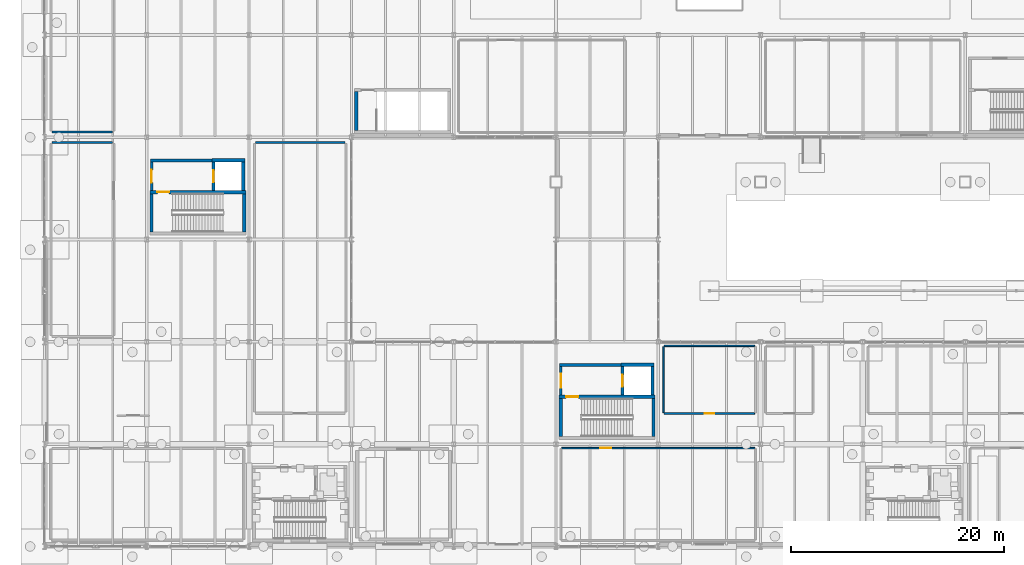
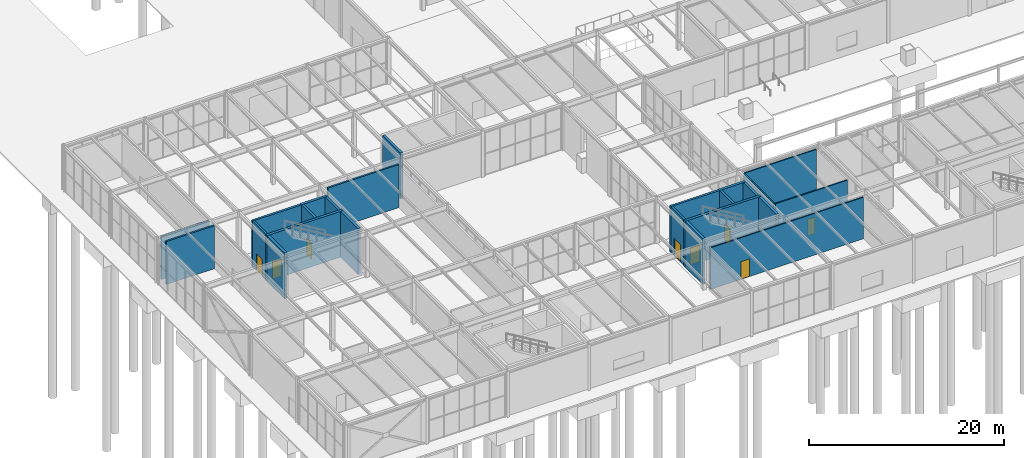
# One storey, part 117 of 142: 24 walls, 8 doors, 8 openings.
"""IFC4 building model written with IfcOpenShell, lengths in metres."""

from ifc_helpers import new_model, si_unit, direction, frame, frame_2d, origin, place, context, subcontext, project, spatial, rectangle, extrude, material, layer, layer_set, type_object, element, fill, save


model = new_model("IFC4")

# Units and contexts
model_context = context("Model", 3, precision=1e-05, world=origin(), true_north=direction((0.0, 1.0)))
body_context = subcontext(model_context, "Body", "Model", "MODEL_VIEW")
ifc_project = project(units=[si_unit("LENGTHUNIT", "METRE"), si_unit("AREAUNIT", "SQUARE_METRE"), si_unit("VOLUMEUNIT", "CUBIC_METRE"), si_unit("PLANEANGLEUNIT", "RADIAN"), si_unit("MASSUNIT", "GRAM", prefix="KILO")], contexts=[model_context])

# Site, building, storey
site_placement = place(None, origin())
site = spatial("IfcSite", under=ifc_project, at=site_placement, CompositionType="ELEMENT")
building_placement = place(site_placement, origin())
building = spatial("IfcBuilding", under=site, at=building_placement, Name="Coralgate Yard Interchange", CompositionType="ELEMENT")
storey_placement = place(building_placement, origin())
storey = spatial("IfcBuildingStorey", under=building, at=storey_placement, Name="L00", CompositionType="ELEMENT", Elevation=0.0)

# Wall, opening, door
ifc_material_1 = material(Name="Concrete C40/50", Category="concrete")
ifc_layer_1 = layer(ifc_material_1, 0.300048828125)
ifc_layer_set_1 = layer_set([ifc_layer_1], Name="Concrete C40/50")
wall_type_1 = type_object("IfcWallType", Name="WAL-CW300", PredefinedType="SHEAR", material=ifc_layer_set_1)
wall_1_placement = place(storey_placement, frame((18.89990234375, 33.25, 0.0), z_axis=(0.0, 0.0, 1.0), x_axis=(-1.0, 0.0, 0.0)))
wall_1 = element("IfcWall", 1, at=wall_1_placement, inside=storey, type_object=wall_type_1, Name="C1 L00 stair north shear wall", PredefinedType="SHEAR", context=body_context, shape_type="SweptSolid", body=[
    extrude(rectangle(XDim=9.0, YDim=0.300048828125, at=frame_2d((4.5, 0.0))), origin(), (0.0, 0.0, 1.0), 5.75),
])
opening_1_placement = place(wall_1_placement, frame((7.199951171875, 0.0, 0.0)))
opening_1 = element("IfcOpeningElement", 2, at=opening_1_placement, cuts=wall_1, Name="Opening FD-1", PredefinedType="OPENING", context=body_context, shape_type="SweptSolid", body=[
    extrude(rectangle(XDim=1.10009765625, YDim=2.14990234375, at=frame_2d((0.550048828125, 1.074951171875))), frame((0.0, 0.159912109375, 0.0), z_axis=(0.0, -1.0, 0.0), x_axis=(1.0, 0.0, 0.0)), (0.0, 0.0, 1.0), 0.320068359375),
])
ifc_material_2 = material(Name="Powder-coated steel fire door assembly", Category="steel")
door_type_1 = type_object("IfcDoorType", Name="DOR-FD-1", OperationType="NOTDEFINED", PredefinedType="DOOR", material=ifc_material_2)
door_1_placement = place(opening_1_placement, origin())
door_1 = element("IfcDoor", 3, at=door_1_placement, inside=storey, type_object=door_type_1, Name="C1 L00 stair fire door", OperationType="SINGLE_SWING_LEFT", OverallHeight=2.14990234375, OverallWidth=1.10009765625, PredefinedType="DOOR", context=body_context, shape_type="SweptSolid", body=[
    extrude(rectangle(XDim=1.10009765625, YDim=2.14990234375, at=frame_2d((0.550048828125, 1.074951171875))), frame((0.0, 0.02490234375, 0.0), z_axis=(0.0, -1.0, 0.0), x_axis=(1.0, 0.0, 0.0)), (0.0, 0.0, 1.0), 0.050048828125),
])
fill(opening_1, door_1)

# Walls
for number, where, z_axis, x_axis, name in (
    (4, (10.050048828125, 29.52001953125, 0.0), (0.0, 0.0, 1.0), (0.0, 1.0, 0.0), "C1 L00 stair west shear wall"),
    (5, (18.75, 33.10009765625, 0.0), (0.0, 0.0, 1.0), (0.0, -1.0, 0.0), "C1 L00 stair east shear wall"),
):
    element("IfcWall", number, at=place(storey_placement, frame(where, z_axis=z_axis, x_axis=x_axis)), inside=storey, type_object=wall_type_1, Name=name, PredefinedType="SHEAR", context=body_context, shape_type="SweptSolid", body=[
        extrude(rectangle(XDim=3.580078125, YDim=0.300048828125, at=frame_2d((1.7900390625, 0.0))), origin(), (0.0, 0.0, 1.0), 5.75),
    ])

# Wall, opening, door
wall_2_placement = place(storey_placement, frame((15.85009765625, 36.10009765625, 0.0), z_axis=(0.0, 0.0, 1.0), x_axis=(0.0, -1.0, 0.0)))
wall_2 = element("IfcWall", 6, at=wall_2_placement, inside=storey, type_object=wall_type_1, Name="C1 L00 lift front shear wall", PredefinedType="SHEAR", context=body_context, shape_type="SweptSolid", body=[
    extrude(rectangle(XDim=2.7001953125, YDim=0.300048828125, at=frame_2d((1.35009765625, 0.0))), origin(), (0.0, 0.0, 1.0), 5.75),
])
opening_2_placement = place(wall_2_placement, frame((0.800048828125, 0.0, 0.0)))
opening_2 = element("IfcOpeningElement", 7, at=opening_2_placement, cuts=wall_2, Name="Opening LD-1", PredefinedType="OPENING", context=body_context, shape_type="SweptSolid", body=[
    extrude(rectangle(XDim=1.10009765625, YDim=2.10009765625, at=frame_2d((0.550048828125, 1.050048828125))), frame((0.0, 0.159912109375, 0.0), z_axis=(0.0, -1.0, 0.0), x_axis=(1.0, 0.0, 0.0)), (0.0, 0.0, 1.0), 0.320068359375),
])
ifc_material_3 = material(Name="Brushed stainless steel firefighting lift landing door", Category="steel")
door_type_2 = type_object("IfcDoorType", Name="DOR-LD-1", OperationType="DOUBLE_DOOR_SLIDING", PredefinedType="DOOR", material=ifc_material_3)
door_2_placement = place(opening_2_placement, frame((1.10009765625, 0.0, 0.0), z_axis=(0.0, 0.0, 1.0), x_axis=(-1.0, 0.0, 0.0)))
door_2 = element("IfcDoor", 8, at=door_2_placement, inside=storey, type_object=door_type_2, Name="FFL-01 L00 sliding lift landing door", OperationType="DOUBLE_DOOR_SLIDING", OverallHeight=2.10009765625, OverallWidth=1.10009765625, PredefinedType="DOOR", context=body_context, shape_type="SweptSolid", body=[
    extrude(rectangle(XDim=1.10009765625, YDim=2.10009765625, at=frame_2d((0.550048828125, 1.050048828125))), frame((0.0, 0.02490234375, 0.0), z_axis=(0.0, -1.0, 0.0), x_axis=(1.0, 0.0, 0.0)), (0.0, 0.0, 1.0), 0.050048828125),
])
fill(opening_2, door_2)

# Walls
wall_3_placement = place(storey_placement, frame((18.64990234375, 33.39990234375, 0.0), z_axis=(0.0, 0.0, 1.0), x_axis=(0.0, 1.0, 0.0)))
element("IfcWall", 9, at=wall_3_placement, inside=storey, type_object=wall_type_1, Name="C1 L00 lift rear shear wall", PredefinedType="SHEAR", context=body_context, shape_type="SweptSolid", body=[
    extrude(rectangle(XDim=2.7001953125, YDim=0.300048828125, at=frame_2d((1.35009765625, 0.0))), origin(), (0.0, 0.0, 1.0), 5.75),
])
wall_4_placement = place(storey_placement, frame((15.699951171875, 36.25, 0.0), z_axis=(0.0, 0.0, 1.0), x_axis=(1.0, 0.0, 0.0)))
element("IfcWall", 10, at=wall_4_placement, inside=storey, type_object=wall_type_1, Name="C1 L00 lift north shear wall", PredefinedType="SHEAR", context=body_context, shape_type="SweptSolid", body=[
    extrude(rectangle(XDim=3.10009765625, YDim=0.300048828125, at=frame_2d((1.550048828125, 0.0))), origin(), (0.0, 0.0, 1.0), 5.75),
])
wall_5_placement = place(storey_placement, frame((29.25, 39.050048828125, 0.0), z_axis=(0.0, 0.0, 1.0), x_axis=(0.0, 1.0, 0.0)))
element("IfcWall", 11, at=wall_5_placement, inside=storey, type_object=wall_type_1, Name="C12 L00 stair west shear wall", PredefinedType="SHEAR", context=body_context, shape_type="SweptSolid", body=[
    extrude(rectangle(XDim=3.64990234375, YDim=0.300048828125, at=frame_2d((1.824951171875, 0.0))), origin(), (0.0, 0.0, 1.0), 5.75),
])

# Wall, opening, door
wall_6_placement = place(storey_placement, frame((57.300048828125, 14.050048828125, 0.0), z_axis=(0.0, 0.0, 1.0), x_axis=(-1.0, 0.0, 0.0)))
wall_6 = element("IfcWall", 12, at=wall_6_placement, inside=storey, type_object=wall_type_1, Name="C2 L00 stair north shear wall", PredefinedType="SHEAR", context=body_context, shape_type="SweptSolid", body=[
    extrude(rectangle(XDim=9.0, YDim=0.300048828125, at=frame_2d((4.5, 0.0))), origin(), (0.0, 0.0, 1.0), 5.75),
])
opening_3_placement = place(wall_6_placement, frame((7.199951171875, 0.0, 0.0)))
opening_3 = element("IfcOpeningElement", 13, at=opening_3_placement, cuts=wall_6, Name="Opening FD-1B", PredefinedType="OPENING", context=body_context, shape_type="SweptSolid", body=[
    extrude(rectangle(XDim=1.14990234375, YDim=2.14990234375, at=frame_2d((0.574951171875, 1.074951171875))), frame((0.0, 0.159912109375, 0.0), z_axis=(0.0, -1.0, 0.0), x_axis=(1.0, 0.0, 0.0)), (0.0, 0.0, 1.0), 0.320068359375),
])
door_type_3 = type_object("IfcDoorType", Name="DOR-FD-1B", OperationType="NOTDEFINED", PredefinedType="DOOR", material=ifc_material_2)
door_3_placement = place(opening_3_placement, origin())
door_3 = element("IfcDoor", 14, at=door_3_placement, inside=storey, type_object=door_type_3, Name="C2 L00 stair fire door", OperationType="SINGLE_SWING_RIGHT", OverallHeight=2.14990234375, OverallWidth=1.14990234375, PredefinedType="DOOR", context=body_context, shape_type="SweptSolid", body=[
    extrude(rectangle(XDim=1.14990234375, YDim=2.14990234375, at=frame_2d((0.574951171875, 1.074951171875))), frame((0.0, 0.02490234375, 0.0), z_axis=(0.0, -1.0, 0.0), x_axis=(1.0, 0.0, 0.0)), (0.0, 0.0, 1.0), 0.050048828125),
])
fill(opening_3, door_3)

# Walls
for number, where, z_axis, x_axis, name in (
    (15, (48.449951171875, 10.320068359375, 0.0), (0.0, 0.0, 1.0), (0.0, 1.0, 0.0), "C2 L00 stair west shear wall"),
    (16, (57.14990234375, 13.89990234375, 0.0), (0.0, 0.0, 1.0), (0.0, -1.0, 0.0), "C2 L00 stair east shear wall"),
):
    element("IfcWall", number, at=place(storey_placement, frame(where, z_axis=z_axis, x_axis=x_axis)), inside=storey, type_object=wall_type_1, Name=name, PredefinedType="SHEAR", context=body_context, shape_type="SweptSolid", body=[
        extrude(rectangle(XDim=3.579833984375, YDim=0.300048828125, at=frame_2d((1.7900390625, 0.0))), origin(), (0.0, 0.0, 1.0), 5.75),
    ])

# Wall, opening, door
wall_7_placement = place(storey_placement, frame((54.25, 16.89990234375, 0.0), z_axis=(0.0, 0.0, 1.0), x_axis=(0.0, -1.0, 0.0)))
wall_7 = element("IfcWall", 17, at=wall_7_placement, inside=storey, type_object=wall_type_1, Name="C2 L00 lift front shear wall", PredefinedType="SHEAR", context=body_context, shape_type="SweptSolid", body=[
    extrude(rectangle(XDim=2.699951171875, YDim=0.300048828125, at=frame_2d((1.35009765625, 0.0))), origin(), (0.0, 0.0, 1.0), 5.75),
])
opening_4_placement = place(wall_7_placement, frame((0.800048828125, 0.0, 0.0)))
opening_4 = element("IfcOpeningElement", 18, at=opening_4_placement, cuts=wall_7, Name="Opening LD-1", PredefinedType="OPENING", context=body_context, shape_type="SweptSolid", body=[
    extrude(rectangle(XDim=1.10009765625, YDim=2.10009765625, at=frame_2d((0.550048828125, 1.050048828125))), frame((0.0, 0.159912109375, 0.0), z_axis=(0.0, -1.0, 0.0), x_axis=(1.0, 0.0, 0.0)), (0.0, 0.0, 1.0), 0.320068359375),
])
door_4_placement = place(opening_4_placement, frame((1.10009765625, 0.0, 0.0), z_axis=(0.0, 0.0, 1.0), x_axis=(-1.0, 0.0, 0.0)))
door_4 = element("IfcDoor", 19, at=door_4_placement, inside=storey, type_object=door_type_2, Name="FFL-02 L00 sliding lift landing door", OperationType="DOUBLE_DOOR_SLIDING", OverallHeight=2.10009765625, OverallWidth=1.10009765625, PredefinedType="DOOR", context=body_context, shape_type="SweptSolid", body=[
    extrude(rectangle(XDim=1.10009765625, YDim=2.10009765625, at=frame_2d((0.550048828125, 1.050048828125))), frame((0.0, 0.02490234375, 0.0), z_axis=(0.0, -1.0, 0.0), x_axis=(1.0, 0.0, 0.0)), (0.0, 0.0, 1.0), 0.050048828125),
])
fill(opening_4, door_4)

# Walls
wall_8_placement = place(storey_placement, frame((57.050048828125, 14.199951171875, 0.0), z_axis=(0.0, 0.0, 1.0), x_axis=(0.0, 1.0, 0.0)))
element("IfcWall", 20, at=wall_8_placement, inside=storey, type_object=wall_type_1, Name="C2 L00 lift rear shear wall", PredefinedType="SHEAR", context=body_context, shape_type="SweptSolid", body=[
    extrude(rectangle(XDim=2.699951171875, YDim=0.300048828125, at=frame_2d((1.35009765625, 0.0))), origin(), (0.0, 0.0, 1.0), 5.75),
])
wall_9_placement = place(storey_placement, frame((54.10009765625, 17.050048828125, 0.0), z_axis=(0.0, 0.0, 1.0), x_axis=(1.0, 0.0, 0.0)))
element("IfcWall", 21, at=wall_9_placement, inside=storey, type_object=wall_type_1, Name="C2 L00 lift north shear wall", PredefinedType="SHEAR", context=body_context, shape_type="SweptSolid", body=[
    extrude(rectangle(XDim=3.099853515625, YDim=0.300048828125, at=frame_2d((1.5498046875, 0.0))), origin(), (0.0, 0.0, 1.0), 5.75),
])

# Wall, opening, door
ifc_material_4 = material(Name="Acoustic twin-stud office partition")
ifc_layer_2 = layer(ifc_material_4, 0.139892578125)
ifc_layer_set_2 = layer_set([ifc_layer_2], Name="Acoustic twin-stud office partition")
wall_type_2 = type_object("IfcWallType", Name="WAL-PW-140", PredefinedType="PARTITIONING", material=ifc_layer_set_2)
wall_10_placement = place(storey_placement, frame((48.5400390625, 9.22998046875, 0.0), z_axis=(0.0, 0.0, 1.0), x_axis=(1.0, 0.0, 0.0)))
wall_10 = element("IfcWall", 22, at=wall_10_placement, inside=storey, type_object=wall_type_2, Name="Surface Bus Network Dispatch Room partition N", PredefinedType="PARTITIONING", context=body_context, shape_type="SweptSolid", body=[
    extrude(rectangle(XDim=18.119873046875, YDim=0.139892578125, at=frame_2d((9.06005859375, 0.0))), origin(), (0.0, 0.0, 1.0), 5.206787109375),
])
opening_5_placement = place(wall_10_placement, frame((3.60009765625, 0.0, 0.0)))
opening_5 = element("IfcOpeningElement", 23, at=opening_5_placement, cuts=wall_10, Name="Opening ID-25", PredefinedType="OPENING", context=body_context, shape_type="SweptSolid", body=[
    extrude(rectangle(XDim=1.06005859375, YDim=2.199951171875, at=frame_2d((0.530029296875, 1.10009765625))), frame((0.0, 0.079833984375, 0.0), z_axis=(0.0, -1.0, 0.0), x_axis=(1.0, 0.0, 0.0)), (0.0, 0.0, 1.0), 0.159912109375),
])
ifc_material_5 = material(Name="Acoustic hardwood dispatch office door", Category="wood")
door_type_4 = type_object("IfcDoorType", Name="DOR-ID-25", OperationType="NOTDEFINED", PredefinedType="DOOR", material=ifc_material_5)
door_5_placement = place(opening_5_placement, origin())
door_5 = element("IfcDoor", 24, at=door_5_placement, inside=storey, type_object=door_type_4, Name="Surface Bus Network Dispatch Room door", OperationType="SINGLE_SWING_RIGHT", OverallHeight=2.199951171875, OverallWidth=1.06005859375, PredefinedType="DOOR", context=body_context, shape_type="SweptSolid", body=[
    extrude(rectangle(XDim=1.06005859375, YDim=2.199951171875, at=frame_2d((0.530029296875, 1.10009765625))), frame((0.0, 0.02490234375, 0.0), z_axis=(0.0, -1.0, 0.0), x_axis=(1.0, 0.0, 0.0)), (0.0, 0.0, 1.0), 0.050048828125),
])
fill(opening_5, door_5)

ifc_material_6 = material(Name="Moisture-resistant masonry washroom wall", Category="masonry")
ifc_layer_3 = layer(ifc_material_6, 0.14990234375)
ifc_layer_set_3 = layer_set([ifc_layer_3], Name="Moisture-resistant masonry washroom wall")
wall_type_3 = type_object("IfcWallType", Name="WAL-PW-150", PredefinedType="PLUMBINGWALL", material=ifc_layer_set_3)
wall_11_placement = place(storey_placement, frame((66.64990234375, 12.47509765625, 0.0), z_axis=(0.0, 0.0, 1.0), x_axis=(-1.0, 0.0, 0.0)))
wall_11 = element("IfcWall", 25, at=wall_11_placement, inside=storey, type_object=wall_type_3, Name="Operations Ground Staff Washroom partition S", PredefinedType="PLUMBINGWALL", context=body_context, shape_type="SweptSolid", body=[
    extrude(rectangle(XDim=8.5, YDim=0.14990234375, at=frame_2d((4.25, 0.0))), origin(), (0.0, 0.0, 1.0), 5.389892578125),
])
opening_6_placement = place(wall_11_placement, frame((3.800048828125, 0.0, 0.0)))
opening_6 = element("IfcOpeningElement", 26, at=opening_6_placement, cuts=wall_11, Name="Opening ID-10", PredefinedType="OPENING", context=body_context, shape_type="SweptSolid", body=[
    extrude(rectangle(XDim=0.89990234375, YDim=2.10009765625, at=frame_2d((0.449951171875, 1.050048828125))), frame((0.0, 0.0849609375, 0.0), z_axis=(0.0, -1.0, 0.0), x_axis=(1.0, 0.0, 0.0)), (0.0, 0.0, 1.0), 0.169921875),
])
ifc_material_7 = material(Name="Moisture-resistant laminate washroom door")
door_type_5 = type_object("IfcDoorType", Name="DOR-ID-10", OperationType="NOTDEFINED", PredefinedType="DOOR", material=ifc_material_7)
door_6_placement = place(opening_6_placement, frame((0.89990234375, 0.0, 0.0), z_axis=(0.0, 0.0, 1.0), x_axis=(-1.0, 0.0, 0.0)))
door_6 = element("IfcDoor", 27, at=door_6_placement, inside=storey, type_object=door_type_5, Name="Operations Ground Staff Washroom door", OperationType="SINGLE_SWING_LEFT", OverallHeight=2.10009765625, OverallWidth=0.89990234375, PredefinedType="DOOR", context=body_context, shape_type="SweptSolid", body=[
    extrude(rectangle(XDim=0.89990234375, YDim=2.10009765625, at=frame_2d((0.449951171875, 1.050048828125))), frame((0.0, 0.02490234375, 0.0), z_axis=(0.0, -1.0, 0.0), x_axis=(1.0, 0.0, 0.0)), (0.0, 0.0, 1.0), 0.050048828125),
])
fill(opening_6, door_6)

# Walls
wall_12_placement = place(storey_placement, frame((58.14990234375, 18.824951171875, 0.0), z_axis=(0.0, 0.0, 1.0), x_axis=(1.0, 0.0, 0.0)))
element("IfcWall", 28, at=wall_12_placement, inside=storey, type_object=wall_type_3, Name="Operations Ground Staff Washroom partition N", PredefinedType="PLUMBINGWALL", context=body_context, shape_type="SweptSolid", body=[
    extrude(rectangle(XDim=8.5, YDim=0.14990234375, at=frame_2d((4.25, 0.0))), origin(), (0.0, 0.0, 1.0), 5.389892578125),
])
wall_13_placement = place(storey_placement, frame((58.074951171875, 12.550048828125, 0.0), z_axis=(0.0, 0.0, 1.0), x_axis=(0.0, 1.0, 0.0)))
element("IfcWall", 29, at=wall_13_placement, inside=storey, type_object=wall_type_3, Name="Operations Ground Staff Washroom partition W", PredefinedType="PLUMBINGWALL", context=body_context, shape_type="SweptSolid", body=[
    extrude(rectangle(XDim=6.199951171875, YDim=0.14990234375, at=frame_2d((3.10009765625, 0.0))), origin(), (0.0, 0.0, 1.0), 5.389892578125),
])
ifc_material_8 = material(Name="Concrete blockwork masonry", Category="masonry")
ifc_layer_4 = layer(ifc_material_8, 0.199951171875)
ifc_layer_set_4 = layer_set([ifc_layer_4], Name="Concrete blockwork masonry")
wall_type_4 = type_object("IfcWallType", Name="WAL-PW-200", PredefinedType="PARTITIONING", material=ifc_layer_set_4)
for number, where, z_axis, x_axis, name in (
    (30, (0.699951171875, 37.89990234375, 0.0), (0.0, 0.0, 1.0), (1.0, 0.0, 0.0), "Main Low-Voltage Switchgear Plant partition N"),
    (31, (6.39990234375, 38.89990234375, 0.0), (0.0, 0.0, 1.0), (-1.0, 0.0, 0.0), "Standby Life-Safety Switchboard Room partition S"),
):
    element("IfcWall", number, at=place(storey_placement, frame(where, z_axis=z_axis, x_axis=x_axis)), inside=storey, type_object=wall_type_4, Name=name, PredefinedType="PARTITIONING", context=body_context, shape_type="SweptSolid", body=[
        extrude(rectangle(XDim=5.699951171875, YDim=0.199951171875, at=frame_2d((2.85009765625, 0.0))), origin(), (0.0, 0.0, 1.0), 5.389892578125),
    ])
wall_14_placement = place(storey_placement, frame((19.800048828125, 37.89990234375, 0.0), z_axis=(0.0, 0.0, 1.0), x_axis=(1.0, 0.0, 0.0)))
element("IfcWall", 32, at=wall_14_placement, inside=storey, type_object=wall_type_4, Name="Refuse Compactor and Recycling Store partition N", PredefinedType="PARTITIONING", context=body_context, shape_type="SweptSolid", body=[
    extrude(rectangle(XDim=8.39990234375, YDim=0.199951171875, at=frame_2d((4.199951171875, 0.0))), origin(), (0.0, 0.0, 1.0), 5.389892578125),
])
ifc_layer_5 = layer(ifc_material_1, 0.25)
ifc_layer_set_5 = layer_set([ifc_layer_5], Name="Concrete C40/50")
wall_type_5 = type_object("IfcWallType", Name="WAL-SW250", PredefinedType="SHEAR", material=ifc_layer_set_5)
wall_15_placement = place(storey_placement, frame((15.699951171875, 36.22509765625, 0.0), z_axis=(0.0, 0.0, 1.0), x_axis=(-1.0, 0.0, 0.0)))
element("IfcWall", 33, at=wall_15_placement, inside=storey, type_object=wall_type_5, Name="C1 L00 lobby north fire wall", PredefinedType="SHEAR", context=body_context, shape_type="SweptSolid", body=[
    extrude(rectangle(XDim=5.77490234375, YDim=0.25, at=frame_2d((2.887451171875, 0.0))), origin(), (0.0, 0.0, 1.0), 5.75),
])

# Wall, opening, door
wall_16_placement = place(storey_placement, frame((10.050048828125, 33.39990234375, 0.0), z_axis=(0.0, 0.0, 1.0), x_axis=(0.0, 1.0, 0.0)))
wall_16 = element("IfcWall", 34, at=wall_16_placement, inside=storey, type_object=wall_type_5, Name="C1 L00 lobby west fire wall", PredefinedType="SHEAR", context=body_context, shape_type="SweptSolid", body=[
    extrude(rectangle(XDim=2.7001953125, YDim=0.25, at=frame_2d((1.35009765625, 0.0))), origin(), (0.0, 0.0, 1.0), 5.75),
])
opening_7_placement = place(wall_16_placement, frame((0.75, 0.0, 0.0)))
opening_7 = element("IfcOpeningElement", 35, at=opening_7_placement, cuts=wall_16, Name="Opening FD-2", PredefinedType="OPENING", context=body_context, shape_type="SweptSolid", body=[
    extrude(rectangle(XDim=1.199951171875, YDim=2.14990234375, at=frame_2d((0.60009765625, 1.074951171875))), frame((0.0, 0.135009765625, 0.0), z_axis=(0.0, -1.0, 0.0), x_axis=(1.0, 0.0, 0.0)), (0.0, 0.0, 1.0), 0.27001953125),
])
door_type_6 = type_object("IfcDoorType", Name="DOR-FD-2", OperationType="NOTDEFINED", PredefinedType="DOOR", material=ifc_material_2)
door_7_placement = place(opening_7_placement, frame((1.199951171875, 0.0, 0.0), z_axis=(0.0, 0.0, 1.0), x_axis=(-1.0, 0.0, 0.0)))
door_7 = element("IfcDoor", 36, at=door_7_placement, inside=storey, type_object=door_type_6, Name="C1 L00 lobby fire door", OperationType="SINGLE_SWING_RIGHT", OverallHeight=2.14990234375, OverallWidth=1.199951171875, PredefinedType="DOOR", context=body_context, shape_type="SweptSolid", body=[
    extrude(rectangle(XDim=1.199951171875, YDim=2.14990234375, at=frame_2d((0.60009765625, 1.074951171875))), frame((0.0, 0.02490234375, 0.0), z_axis=(0.0, -1.0, 0.0), x_axis=(1.0, 0.0, 0.0)), (0.0, 0.0, 1.0), 0.050048828125),
])
fill(opening_7, door_7)

# Wall
wall_17_placement = place(storey_placement, frame((54.10009765625, 17.02490234375, 0.0), z_axis=(0.0, 0.0, 1.0), x_axis=(-1.0, 0.0, 0.0)))
element("IfcWall", 37, at=wall_17_placement, inside=storey, type_object=wall_type_5, Name="C2 L00 lobby north fire wall", PredefinedType="SHEAR", context=body_context, shape_type="SweptSolid", body=[
    extrude(rectangle(XDim=5.775146484375, YDim=0.25, at=frame_2d((2.8876953125, 0.0))), origin(), (0.0, 0.0, 1.0), 5.75),
])

# Wall, opening, door
wall_18_placement = place(storey_placement, frame((48.449951171875, 14.199951171875, 0.0), z_axis=(0.0, 0.0, 1.0), x_axis=(0.0, 1.0, 0.0)))
wall_18 = element("IfcWall", 38, at=wall_18_placement, inside=storey, type_object=wall_type_5, Name="C2 L00 lobby west fire wall", PredefinedType="SHEAR", context=body_context, shape_type="SweptSolid", body=[
    extrude(rectangle(XDim=2.699951171875, YDim=0.25, at=frame_2d((1.35009765625, 0.0))), origin(), (0.0, 0.0, 1.0), 5.75),
])
opening_8_placement = place(wall_18_placement, frame((0.7099609375, 0.0, 0.0)))
opening_8 = element("IfcOpeningElement", 39, at=opening_8_placement, cuts=wall_18, Name="Opening FD-2B", PredefinedType="OPENING", context=body_context, shape_type="SweptSolid", body=[
    extrude(rectangle(XDim=1.280029296875, YDim=2.199951171875, at=frame_2d((0.64013671875, 1.10009765625))), frame((0.0, 0.135009765625, 0.0), z_axis=(0.0, -1.0, 0.0), x_axis=(1.0, 0.0, 0.0)), (0.0, 0.0, 1.0), 0.27001953125),
])
door_type_7 = type_object("IfcDoorType", Name="DOR-FD-2B", OperationType="NOTDEFINED", PredefinedType="DOOR", material=ifc_material_2)
door_8_placement = place(opening_8_placement, frame((1.280029296875, 0.0, 0.0), z_axis=(0.0, 0.0, 1.0), x_axis=(-1.0, 0.0, 0.0)))
door_8 = element("IfcDoor", 40, at=door_8_placement, inside=storey, type_object=door_type_7, Name="C2 L00 lobby fire door", OperationType="SINGLE_SWING_LEFT", OverallHeight=2.199951171875, OverallWidth=1.280029296875, PredefinedType="DOOR", context=body_context, shape_type="SweptSolid", body=[
    extrude(rectangle(XDim=1.280029296875, YDim=2.199951171875, at=frame_2d((0.64013671875, 1.10009765625))), frame((0.0, 0.02490234375, 0.0), z_axis=(0.0, -1.0, 0.0), x_axis=(1.0, 0.0, 0.0)), (0.0, 0.0, 1.0), 0.050048828125),
])
fill(opening_8, door_8)

save(model, "model.ifc")
